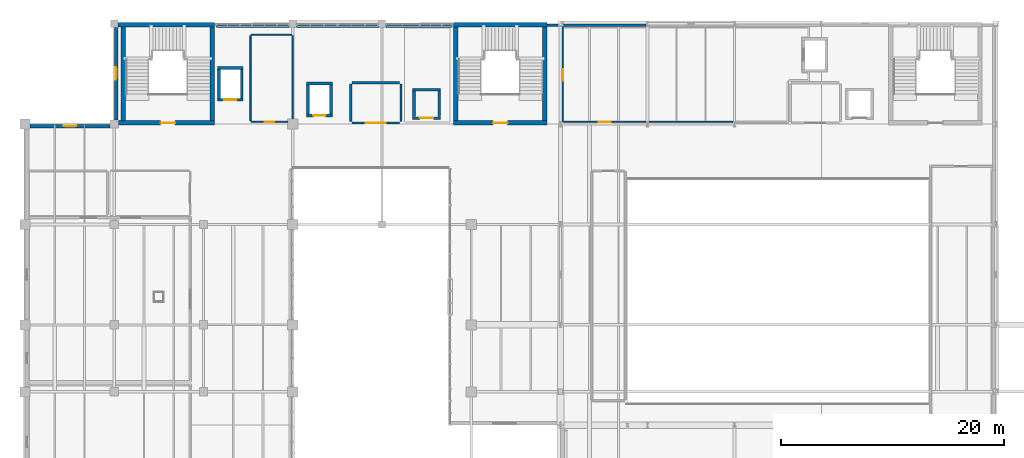
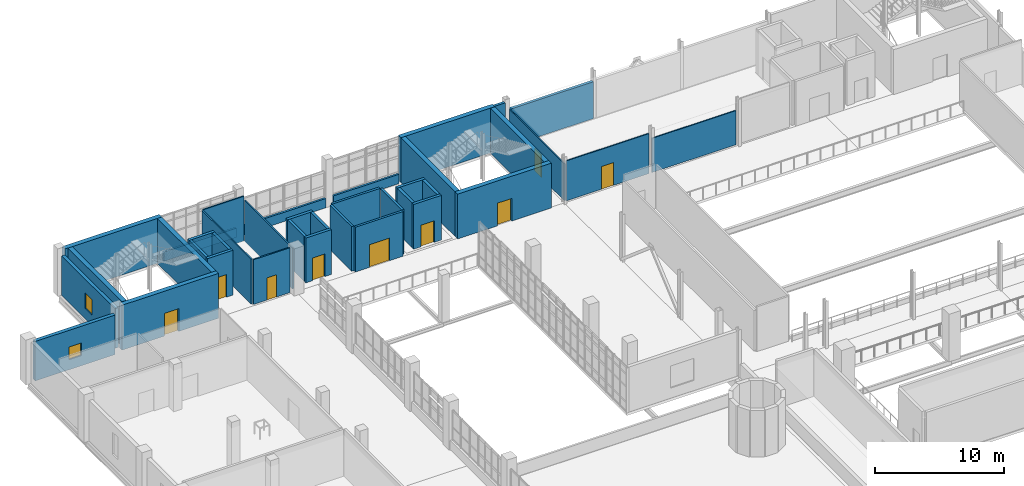
# One storey, part 78 of 85: 38 walls, 9 doors, 2 windows, 11 openings.
"""IFC4 building model written with IfcOpenShell, lengths in metres."""

import ifcopenshell
import ifcopenshell.guid

model = None  # the IFC model being written
_history = None  # IfcOwnerHistory: only IFC2X3 demands one
_inside = {}  # id of a spatial element -> (the spatial element, [elements in it])
_under = {}  # id of a project, library or spatial element -> (it, [spatial elements below it])
_declared = {}  # id of a project -> (the project, [libraries it declares])
_typed = {}  # id of a type object -> (the type object, [elements of that type])
_made_of = {}  # id of a material, layer set ... -> (it, [elements and type objects made of it])


def new_model(schema):
    """Start an empty IFC model of exactly this schema.

    Asked for "IFC4X3", IfcOpenShell would pick the latest addendum, in which some entities
    have other attributes; the version numbers below select the first issue.
    IFC2X3 requires an IfcOwnerHistory on every rooted entity: one is made here for all.
    """
    global model, _history
    if schema == "IFC4X3":
        model = ifcopenshell.file(schema_version=(4, 3, 0, 0))
    else:
        model = ifcopenshell.file(schema=schema)
    _inside.clear()
    _under.clear()
    _declared.clear()
    _typed.clear()
    _made_of.clear()
    _history = None
    if model.schema == "IFC2X3":
        org = make("IfcOrganization", Name="unknown")
        user = make(
            "IfcPersonAndOrganization",
            ThePerson=make("IfcPerson", FamilyName="unknown"),
            TheOrganization=org,
        )
        app = make(
            "IfcApplication",
            ApplicationDeveloper=org,
            Version="unknown",
            ApplicationFullName="unknown",
            ApplicationIdentifier="unknown",
        )
        _history = make(
            "IfcOwnerHistory",
            OwningUser=user,
            OwningApplication=app,
            ChangeAction="ADDED",
            CreationDate=0,
        )
    return model


def make(cls, **values):
    """One entity of the class cls with the attributes given. An attribute that is None is left unset."""
    return model.create_entity(
        cls, **{name: value for name, value in values.items() if value is not None}
    )


def rooted(cls, **values):
    """An entity with a GlobalId (a new one), such as an element, a storey or a relation."""
    return make(cls, GlobalId=ifcopenshell.guid.new(), OwnerHistory=_history, **values)


def si_unit(unit_type, name, prefix=None):
    """IfcSIUnit, for example si_unit("LENGTHUNIT", "METRE", prefix="MILLI")."""
    return make("IfcSIUnit", UnitType=unit_type, Prefix=prefix, Name=name)


def derived_unit(unit_type, elements):
    """IfcDerivedUnit: a product of units, each with its exponent."""
    return make(
        "IfcDerivedUnit",
        Elements=[
            make("IfcDerivedUnitElement", Unit=unit, Exponent=power)
            for unit, power in elements
        ],
        UnitType=unit_type,
    )


def assignment(units):
    """IfcUnitAssignment: the units of a project."""
    return None if units is None else make("IfcUnitAssignment", Units=units)


def point(xyz):
    """IfcCartesianPoint."""
    return None if xyz is None else make("IfcCartesianPoint", Coordinates=xyz)


def direction(xyz):
    """IfcDirection."""
    return None if xyz is None else make("IfcDirection", DirectionRatios=xyz)


def frame(location, z_axis=None, x_axis=None):
    """IfcAxis2Placement3D, a coordinate frame: its origin and axes. An axis left out is left unset."""
    return make(
        "IfcAxis2Placement3D",
        Location=point(location),
        Axis=direction(z_axis),
        RefDirection=direction(x_axis),
    )


def frame_2d(location, x_axis=None):
    """IfcAxis2Placement2D, a coordinate frame in the plane: its origin and x axis."""
    return make(
        "IfcAxis2Placement2D", Location=point(location), RefDirection=direction(x_axis)
    )


def origin():
    """The frame at (0, 0, 0) with its axes left unset."""
    return frame((0.0, 0.0, 0.0))


def place(relative_to, where):
    """IfcLocalPlacement: puts the frame where relative to a parent placement (None: the world)."""
    return make(
        "IfcLocalPlacement", PlacementRelTo=relative_to, RelativePlacement=where
    )


def context(
    kind, dimensions, precision=None, world=None, true_north=None, identifier=None
):
    """IfcGeometricRepresentationContext, for example the 3D "Model" context."""
    return make(
        "IfcGeometricRepresentationContext",
        ContextIdentifier=identifier,
        ContextType=kind,
        CoordinateSpaceDimension=dimensions,
        Precision=precision,
        WorldCoordinateSystem=world,
        TrueNorth=true_north,
    )


def subcontext(parent, identifier, kind, view, scale=None):
    """IfcGeometricRepresentationSubContext, for example "Body" below "Model"."""
    return make(
        "IfcGeometricRepresentationSubContext",
        ContextIdentifier=identifier,
        ContextType=kind,
        ParentContext=parent,
        TargetScale=scale,
        TargetView=view,
    )


def project(units=None, contexts=None):
    """IfcProject with its units and contexts."""
    return rooted(
        "IfcProject",
        Name="project",
        RepresentationContexts=contexts,
        UnitsInContext=assignment(units),
    )


def spatial(cls, under=None, at=None, **own):
    """A site, building, storey or space (cls), placed at a placement, below another one or the project."""
    s = rooted(cls, ObjectPlacement=at, **own)
    if under is not None:
        _under.setdefault(under.id(), (under, []))[1].append(s)
    return s


def profile(cls, at=None, kind="AREA", **sizes):
    """A parametric profile (cls). Its sizes go by their IFC names, for example OverallWidth=200.0."""
    return make(cls, ProfileType=kind, Position=at, **sizes)


def rectangle(**sizes):
    """IfcRectangleProfileDef."""
    return profile("IfcRectangleProfileDef", **sizes)


def extrude(swept, where, along, depth):
    """IfcExtrudedAreaSolid: the profile swept, set in the frame where, extruded along a direction by depth."""
    return make(
        "IfcExtrudedAreaSolid",
        SweptArea=swept,
        Position=where,
        ExtrudedDirection=direction(along),
        Depth=depth,
    )


def shape(context_of_items, identifier, shape_type, items):
    """IfcShapeRepresentation: the items that make up one representation, for example the "Body"."""
    return make(
        "IfcShapeRepresentation",
        ContextOfItems=context_of_items,
        RepresentationIdentifier=identifier,
        RepresentationType=shape_type,
        Items=items,
    )


def material(Name=None, Category=None):
    """IfcMaterial."""
    return make("IfcMaterial", Name=Name, Category=Category)


def layer(
    of_material, thickness, ventilated=None, Name=None, Category=None, Priority=None
):
    """IfcMaterialLayer: one layer of a wall or slab, of a material (None: an air gap)."""
    return make(
        "IfcMaterialLayer",
        Material=of_material,
        LayerThickness=thickness,
        IsVentilated=ventilated,
        Name=Name,
        Category=Category,
        Priority=Priority,
    )


def layer_set(layers, Name=None):
    """IfcMaterialLayerSet."""
    return make("IfcMaterialLayerSet", MaterialLayers=layers, LayerSetName=Name)


def made_of(thing, what):
    """Note that an element or type object is made of a material, layer set ...; save() writes the relation."""
    if what is not None:
        _made_of.setdefault(what.id(), (what, []))[1].append(thing)
    return thing


def type_object(cls, material=None, **own):
    """A type object (cls), such as IfcWallType, which elements share."""
    return made_of(rooted(cls, **own), material)


def element(
    cls,
    number,
    at=None,
    inside=None,
    cuts=None,
    type_object=None,
    material=None,
    context=None,
    identifier="Body",
    shape_type=None,
    held_by="IfcProductDefinitionShape",
    body=None,
    shapes=None,
    **own,
):
    """One element of the class cls, such as IfcWall. Its Tag is "e" and its number.

    at: its placement. inside: the storey or other place that contains it. cuts: it is an
    opening in that element (IfcRelVoidsElement). A single representation is given by context,
    identifier, shape_type and body (its items); several are given by shapes. held_by: the class
    of the entity that holds the representations. save() writes the other relations.
    """
    e = rooted(cls, Tag="e%d" % number, ObjectPlacement=at, **own)
    if body is not None:
        shapes = [shape(context, identifier, shape_type, body)]
    if shapes is not None:
        e.Representation = make(held_by, Representations=shapes)
    if inside is not None:
        _inside.setdefault(inside.id(), (inside, []))[1].append(e)
    if cuts is not None:
        rooted(
            "IfcRelVoidsElement", RelatingBuildingElement=cuts, RelatedOpeningElement=e
        )
    if type_object is not None:
        _typed.setdefault(type_object.id(), (type_object, []))[1].append(e)
    return made_of(e, material)


def fill(opening, filler):
    """IfcRelFillsElement: the door or window that sits in an opening."""
    return rooted(
        "IfcRelFillsElement",
        RelatingOpeningElement=opening,
        RelatedBuildingElement=filler,
    )


def aggregate(whole, parts):
    """IfcRelAggregates: a whole, such as a stair, and the parts it consists of."""
    return rooted("IfcRelAggregates", RelatingObject=whole, RelatedObjects=parts)


def save(model, path):
    """Write the relations noted so far, then the file.

    IfcRelAggregates (storeys below a building ...), IfcRelContainedInSpatialStructure (elements
    in a storey), IfcRelDefinesByType, IfcRelAssociatesMaterial and IfcRelDeclares: one each for
    every whole, place, type object, material and project.
    """
    for whole, parts in _under.values():
        aggregate(whole, parts)
    for where, things in _inside.values():
        rooted(
            "IfcRelContainedInSpatialStructure",
            RelatedElements=things,
            RelatingStructure=where,
        )
    for kind, things in _typed.values():
        rooted("IfcRelDefinesByType", RelatedObjects=things, RelatingType=kind)
    for what, things in _made_of.values():
        rooted("IfcRelAssociatesMaterial", RelatedObjects=things, RelatingMaterial=what)
    for by, libraries in _declared.values():
        rooted("IfcRelDeclares", RelatingContext=by, RelatedDefinitions=libraries)
    model.write(path)


model = new_model("IFC4")

# Units and contexts
model_context = context("Model", 3, precision=1e-05, world=origin(), true_north=direction((0.0, 1.0)))
body_context = subcontext(model_context, "Body", "Model", "MODEL_VIEW")
ifc_project = project(units=[si_unit("LENGTHUNIT", "METRE"), si_unit("AREAUNIT", "SQUARE_METRE"), si_unit("VOLUMEUNIT", "CUBIC_METRE"), si_unit("PLANEANGLEUNIT", "RADIAN"), si_unit("MASSUNIT", "GRAM", prefix="KILO"), derived_unit("THERMALTRANSMITTANCEUNIT", [(si_unit("POWERUNIT", "WATT"), 1), (si_unit("LENGTHUNIT", "METRE"), -2), (si_unit("THERMODYNAMICTEMPERATUREUNIT", "KELVIN"), -1)])], contexts=[model_context])

# Site, building, storey
site_placement = place(None, origin())
site = spatial("IfcSite", under=ifc_project, at=site_placement, CompositionType="ELEMENT")
building_placement = place(site_placement, origin())
building = spatial("IfcBuilding", under=site, at=building_placement, Name="Nallur Shell Playhouse", CompositionType="ELEMENT")
storey_placement = place(building_placement, frame((0.0, 0.0, 19.800048828125)))
storey = spatial("IfcBuildingStorey", under=building, at=storey_placement, Name="L05", CompositionType="ELEMENT", Elevation=19.800048828125)

# Wall, opening, door
ifc_material_1 = material(Name="Concrete M45", Category="concrete")
ifc_layer_1 = layer(ifc_material_1, 0.39990234375)
ifc_layer_set_1 = layer_set([ifc_layer_1], Name="Concrete M45")
wall_type_1 = type_object("IfcWallType", Name="WL-CORE-400", PredefinedType="SHEAR", material=ifc_layer_set_1)
wall_1_placement = place(storey_placement, frame((54.39990234375, 74.10009765625, 0.0), z_axis=(0.0, 0.0, 1.0), x_axis=(1.0, 0.0, 0.0)))
wall_1 = element("IfcWall", 1, at=wall_1_placement, inside=storey, type_object=wall_type_1, Name="Joint Core JC-3 shear wall S (L05)", PredefinedType="SHEAR", context=body_context, shape_type="SweptSolid", body=[
    extrude(rectangle(XDim=8.400146484375, YDim=0.39990234375, at=frame_2d((4.2001953125, 0.0))), origin(), (0.0, 0.0, 1.0), 4.25),
])
opening_1_placement = place(wall_1_placement, frame((3.550048828125, 0.0, 0.0)))
opening_1 = element("IfcOpeningElement", 2, at=opening_1_placement, cuts=wall_1, Name="Opening FD-ST2", PredefinedType="OPENING", context=body_context, shape_type="SweptSolid", body=[
    extrude(rectangle(XDim=1.300048828125, YDim=2.14990234375, at=frame_2d((0.64990234375, 1.074951171875))), frame((0.0, 0.2099609375, 0.0), z_axis=(0.0, -1.0, 0.0), x_axis=(1.0, 0.0, 0.0)), (0.0, 0.0, 1.0), 0.419921875),
])
ifc_material_2 = material(Name="Galvanised Steel Fire-Rated Stair Door", Category="steel")
door_type_1 = type_object("IfcDoorType", Name="DR-INT-STAIR-R", OperationType="SINGLE_SWING_RIGHT", PredefinedType="DOOR", material=ifc_material_2)
door_1_placement = place(opening_1_placement, origin())
door_1 = element("IfcDoor", 3, at=door_1_placement, inside=storey, type_object=door_type_1, Name="Exit stair ST-03 fire door (L05)", OperationType="SINGLE_SWING_RIGHT", OverallHeight=2.14990234375, OverallWidth=1.300048828125, PredefinedType="DOOR", context=body_context, shape_type="SweptSolid", body=[
    extrude(rectangle(XDim=1.300048828125, YDim=2.14990234375, at=frame_2d((0.64990234375, 1.074951171875))), frame((0.0, 0.02490234375, 0.0), z_axis=(0.0, -1.0, 0.0), x_axis=(1.0, 0.0, 0.0)), (0.0, 0.0, 1.0), 0.050048828125),
])
fill(opening_1, door_1)

# Walls
wall_2_placement = place(storey_placement, frame((62.800048828125, 82.89990234375, 0.0), z_axis=(0.0, 0.0, 1.0), x_axis=(-1.0, 0.0, 0.0)))
element("IfcWall", 4, at=wall_2_placement, inside=storey, type_object=wall_type_1, Name="Joint Core JC-3 shear wall N (L05)", PredefinedType="SHEAR", context=body_context, shape_type="SweptSolid", body=[
    extrude(rectangle(XDim=8.400146484375, YDim=0.39990234375, at=frame_2d((4.2001953125, 0.0))), origin(), (0.0, 0.0, 1.0), 4.25),
])
for number, where, z_axis, x_axis, name in (
    (5, (62.60009765625, 74.31005859375, 0.0), (0.0, 0.0, 1.0), (0.0, 1.0, 0.0), "Joint Core JC-3 shear wall E (L05)"),
    (6, (54.60009765625, 82.68994140625, 0.0), (0.0, 0.0, 1.0), (0.0, -1.0, 0.0), "Joint Core JC-3 shear wall W (L05)"),
):
    element("IfcWall", number, at=place(storey_placement, frame(where, z_axis=z_axis, x_axis=x_axis)), inside=storey, type_object=wall_type_1, Name=name, PredefinedType="SHEAR", context=body_context, shape_type="SweptSolid", body=[
        extrude(rectangle(XDim=8.3798828125, YDim=0.39990234375, at=frame_2d((4.18994140625, 0.0))), origin(), (0.0, 0.0, 1.0), 4.25),
    ])

# Wall, opening, door
wall_3_placement = place(storey_placement, frame((24.3740234375, 74.10009765625, 0.0), z_axis=(0.0, 0.0, 1.0), x_axis=(1.0, 0.0, 0.0)))
wall_3 = element("IfcWall", 7, at=wall_3_placement, inside=storey, type_object=wall_type_1, Name="Joint Core JC-6 shear wall S (L05)", PredefinedType="SHEAR", context=body_context, shape_type="SweptSolid", body=[
    extrude(rectangle(XDim=8.6259765625, YDim=0.39990234375, at=frame_2d((4.31298828125, 0.0))), origin(), (0.0, 0.0, 1.0), 4.25),
])
opening_2_placement = place(wall_3_placement, frame((3.77587890625, 0.0, 0.0)))
opening_2 = element("IfcOpeningElement", 8, at=opening_2_placement, cuts=wall_3, Name="Opening FD-ST1", PredefinedType="OPENING", context=body_context, shape_type="SweptSolid", body=[
    extrude(rectangle(XDim=1.300048828125, YDim=2.14990234375, at=frame_2d((0.64990234375, 1.074951171875))), frame((0.0, 0.2099609375, 0.0), z_axis=(0.0, -1.0, 0.0), x_axis=(1.0, 0.0, 0.0)), (0.0, 0.0, 1.0), 0.419921875),
])
door_type_2 = type_object("IfcDoorType", Name="DR-INT-STAIR-L", OperationType="SINGLE_SWING_LEFT", PredefinedType="DOOR", material=ifc_material_2)
door_2_placement = place(opening_2_placement, origin())
door_2 = element("IfcDoor", 9, at=door_2_placement, inside=storey, type_object=door_type_2, Name="Exit stair ST-06 fire door (L05)", OperationType="SINGLE_SWING_LEFT", OverallHeight=2.14990234375, OverallWidth=1.300048828125, PredefinedType="DOOR", context=body_context, shape_type="SweptSolid", body=[
    extrude(rectangle(XDim=1.300048828125, YDim=2.14990234375, at=frame_2d((0.64990234375, 1.074951171875))), frame((0.0, 0.02490234375, 0.0), z_axis=(0.0, -1.0, 0.0), x_axis=(1.0, 0.0, 0.0)), (0.0, 0.0, 1.0), 0.050048828125),
])
fill(opening_2, door_2)

# Walls
wall_4_placement = place(storey_placement, frame((33.0, 82.89990234375, 0.0), z_axis=(0.0, 0.0, 1.0), x_axis=(-1.0, 0.0, 0.0)))
element("IfcWall", 10, at=wall_4_placement, inside=storey, type_object=wall_type_1, Name="Joint Core JC-6 shear wall N (L05)", PredefinedType="SHEAR", context=body_context, shape_type="SweptSolid", body=[
    extrude(rectangle(XDim=8.676025390625, YDim=0.39990234375, at=frame_2d((4.337890625, 0.0))), origin(), (0.0, 0.0, 1.0), 4.25),
])
for number, where, z_axis, x_axis, name in (
    (11, (32.800048828125, 74.31005859375, 0.0), (0.0, 0.0, 1.0), (0.0, 1.0, 0.0), "Joint Core JC-6 shear wall E (L05)"),
    (12, (24.800048828125, 82.68994140625, 0.0), (0.0, 0.0, 1.0), (0.0, -1.0, 0.0), "Joint Core JC-6 shear wall W (L05)"),
):
    element("IfcWall", number, at=place(storey_placement, frame(where, z_axis=z_axis, x_axis=x_axis)), inside=storey, type_object=wall_type_1, Name=name, PredefinedType="SHEAR", context=body_context, shape_type="SweptSolid", body=[
        extrude(rectangle(XDim=8.3798828125, YDim=0.39990234375, at=frame_2d((4.18994140625, 0.0))), origin(), (0.0, 0.0, 1.0), 4.25),
    ])
ifc_material_3 = material(Name="Precast concrete M40", Category="concrete")
ifc_layer_2 = layer(ifc_material_3, 0.239990234375)
ifc_layer_set_2 = layer_set([ifc_layer_2], Name="Precast concrete M40")
wall_type_2 = type_object("IfcWallType", Name="WL-EXT-CLAD240", PredefinedType="ELEMENTEDWALL", material=ifc_layer_set_2)
wall_5_placement = place(storey_placement, frame((62.803955078125, 82.860107421875, 0.0), z_axis=(0.0, 0.0, 1.0), x_axis=(1.0, 0.0, 0.0)))
element("IfcWall", 13, at=wall_5_placement, inside=storey, type_object=wall_type_2, Name="L05 exterior wall EW-L05-205", PredefinedType="ELEMENTEDWALL", context=body_context, shape_type="SweptSolid", body=[
    extrude(rectangle(XDim=0.963134765625, YDim=0.239990234375, at=frame_2d((0.4814453125, 0.0))), origin(), (0.0, 0.0, 1.0), 4.25),
])
wall_6_placement = place(storey_placement, frame((64.23291015625, 82.860107421875, 0.0), z_axis=(0.0, 0.0, 1.0), x_axis=(1.0, 0.0, 0.0)))
element("IfcWall", 14, at=wall_6_placement, inside=storey, type_object=wall_type_2, Name="L05 exterior wall EW-L05-206", PredefinedType="ELEMENTEDWALL", context=body_context, shape_type="SweptSolid", body=[
    extrude(rectangle(XDim=7.43408203125, YDim=0.239990234375, at=frame_2d((3.717041015625, 0.0))), origin(), (0.0, 0.0, 1.0), 3.48486328125),
])

# Wall, opening, window
ifc_material_4 = material(Name="Concrete M35", Category="concrete")
ifc_layer_3 = layer(ifc_material_4, 0.300048828125)
ifc_layer_set_3 = layer_set([ifc_layer_3], Name="Concrete M35")
wall_type_3 = type_object("IfcWallType", Name="WL-EXT-RC300", PredefinedType="STANDARD", material=ifc_layer_set_3)
wall_7_placement = place(storey_placement, frame((24.169921875, 74.383056640625, 0.0), z_axis=(0.0, 0.0, 1.0), x_axis=(0.0, 1.0, 0.0)))
wall_7 = element("IfcWall", 15, at=wall_7_placement, inside=storey, type_object=wall_type_3, Name="L05 exterior wall EW-L05-238", PredefinedType="STANDARD", context=body_context, shape_type="SweptSolid", body=[
    extrude(rectangle(XDim=8.283935546875, YDim=0.300048828125, at=frame_2d((4.14208984375, 0.0))), origin(), (0.0, 0.0, 1.0), 3.73486328125),
])
opening_3_placement = place(wall_7_placement, frame((3.592041015625, 0.0, 0.949951171875)))
opening_3 = element("IfcOpeningElement", 16, at=opening_3_placement, cuts=wall_7, Name="Opening WN-06", PredefinedType="OPENING", context=body_context, shape_type="SweptSolid", body=[
    extrude(rectangle(XDim=1.10009765625, YDim=1.5, at=frame_2d((0.550048828125, 0.75))), frame((0.0, 0.16015625, 0.0), z_axis=(0.0, -1.0, 0.0), x_axis=(1.0, 0.0, 0.0)), (0.0, 0.0, 1.0), 0.320068359375),
])
ifc_material_5 = material(Name="Thermally Broken Aluminium Acoustic Double-Glazed Window", Category="aluminium")
window_type_1 = type_object("IfcWindowType", Name="WN-TYPE-06", PartitioningType="SINGLE_PANEL", PredefinedType="WINDOW", material=ifc_material_5)
window_1_placement = place(opening_3_placement, origin())
window_1 = element("IfcWindow", 17, at=window_1_placement, inside=storey, type_object=window_type_1, Name="L05 facade module window 102", OverallHeight=1.5, OverallWidth=1.10009765625, PartitioningType="SINGLE_PANEL", PredefinedType="WINDOW", context=body_context, shape_type="SweptSolid", body=[
    extrude(rectangle(XDim=1.10009765625, YDim=1.5, at=frame_2d((0.550048828125, 0.75))), frame((0.0, 0.030029296875, 0.0), z_axis=(0.0, -1.0, 0.0), x_axis=(1.0, 0.0, 0.0)), (0.0, 0.0, 1.0), 0.06005859375),
])
fill(opening_3, window_1)

ifc_layer_4 = layer(ifc_material_4, 0.320068359375)
ifc_layer_set_4 = layer_set([ifc_layer_4], Name="Concrete M35")
wall_type_4 = type_object("IfcWallType", Name="WL-EXT-RC320", PredefinedType="STANDARD", material=ifc_layer_set_4)
wall_8_placement = place(storey_placement, frame((16.4580078125, 73.820068359375, 0.0), z_axis=(0.0, 0.0, 1.0), x_axis=(1.0, 0.0, 0.0)))
wall_8 = element("IfcWall", 18, at=wall_8_placement, inside=storey, type_object=wall_type_4, Name="L05 exterior wall EW-L05-237", PredefinedType="STANDARD", context=body_context, shape_type="SweptSolid", body=[
    extrude(rectangle(XDim=7.158935546875, YDim=0.320068359375, at=frame_2d((3.57958984375, 0.0))), origin(), (0.0, 0.0, 1.0), 3.73486328125),
])
opening_4_placement = place(wall_8_placement, frame((3.030029296875, 0.0, 0.949951171875)))
opening_4 = element("IfcOpeningElement", 19, at=opening_4_placement, cuts=wall_8, Name="Opening WN-05", PredefinedType="OPENING", context=body_context, shape_type="SweptSolid", body=[
    extrude(rectangle(XDim=1.10009765625, YDim=1.199951171875, at=frame_2d((0.550048828125, 0.60009765625))), frame((0.0, 0.169921875, 0.0), z_axis=(0.0, -1.0, 0.0), x_axis=(1.0, 0.0, 0.0)), (0.0, 0.0, 1.0), 0.340087890625),
])
window_type_2 = type_object("IfcWindowType", Name="WN-TYPE-05", PartitioningType="SINGLE_PANEL", PredefinedType="WINDOW", material=ifc_material_5)
window_2_placement = place(opening_4_placement, origin())
window_2 = element("IfcWindow", 20, at=window_2_placement, inside=storey, type_object=window_type_2, Name="L05 facade module window 101", OverallHeight=1.199951171875, OverallWidth=1.10009765625, PartitioningType="SINGLE_PANEL", PredefinedType="WINDOW", context=body_context, shape_type="SweptSolid", body=[
    extrude(rectangle(XDim=1.10009765625, YDim=1.199951171875, at=frame_2d((0.550048828125, 0.60009765625))), frame((0.0, 0.030029296875, 0.0), z_axis=(0.0, -1.0, 0.0), x_axis=(1.0, 0.0, 0.0)), (0.0, 0.0, 1.0), 0.06005859375),
])
fill(opening_4, window_2)

# Walls
ifc_layer_5 = layer(ifc_material_4, 0.179931640625)
ifc_layer_set_5 = layer_set([ifc_layer_5], Name="Concrete M35")
wall_type_5 = type_object("IfcWallType", Name="WL-PARAPET-180", PredefinedType="PARAPET", material=ifc_layer_set_5)
wall_9_placement = place(storey_placement, frame((33.169921875, 82.760009765625, 0.0), z_axis=(0.0, 0.0, 1.0), x_axis=(1.0, 0.0, 0.0)))
element("IfcWall", 21, at=wall_9_placement, inside=storey, type_object=wall_type_5, Name="L05 curtain-wall internal spandrel upstand 063", PredefinedType="PARAPET", context=body_context, shape_type="SweptSolid", body=[
    extrude(rectangle(XDim=6.4951171875, YDim=0.179931640625, at=frame_2d((3.24755859375, 0.0))), origin(), (0.0, 0.0, 1.0), 0.8798828125),
])
wall_10_placement = place(storey_placement, frame((40.3349609375, 82.760009765625, 0.0), z_axis=(0.0, 0.0, 1.0), x_axis=(1.0, 0.0, 0.0)))
element("IfcWall", 22, at=wall_10_placement, inside=storey, type_object=wall_type_5, Name="L05 curtain-wall internal spandrel upstand 064", PredefinedType="PARAPET", context=body_context, shape_type="SweptSolid", body=[
    extrude(rectangle(XDim=7.330078125, YDim=0.179931640625, at=frame_2d((3.6650390625, 0.0))), origin(), (0.0, 0.0, 1.0), 0.8798828125),
])
wall_11_placement = place(storey_placement, frame((48.3349609375, 82.760009765625, 0.0), z_axis=(0.0, 0.0, 1.0), x_axis=(1.0, 0.0, 0.0)))
element("IfcWall", 23, at=wall_11_placement, inside=storey, type_object=wall_type_5, Name="L05 curtain-wall internal spandrel upstand 065", PredefinedType="PARAPET", context=body_context, shape_type="SweptSolid", body=[
    extrude(rectangle(XDim=5.89501953125, YDim=0.179931640625, at=frame_2d((2.947509765625, 0.0))), origin(), (0.0, 0.0, 1.0), 0.8798828125),
])
ifc_material_6 = material(Name="Concrete M30", Category="concrete")
ifc_layer_6 = layer(ifc_material_6, 0.199951171875)
ifc_layer_set_6 = layer_set([ifc_layer_6], Name="Concrete M30")
wall_type_6 = type_object("IfcWallType", Name="WL-PART-AC200", PredefinedType="PARTITIONING", material=ifc_layer_set_6)
wall_12_placement = place(storey_placement, frame((45.199951171875, 74.219970703125, 0.0), z_axis=(0.0, 0.0, 1.0), x_axis=(0.0, 1.0, 0.0)))
element("IfcWall", 24, at=wall_12_placement, inside=storey, type_object=wall_type_6, Name="Firefighting Lobby JC-3 partition IW-L05-0340", PredefinedType="PARTITIONING", context=body_context, shape_type="SweptSolid", body=[
    extrude(rectangle(XDim=3.360107421875, YDim=0.199951171875, at=frame_2d((1.68017578125, 0.0))), origin(), (0.0, 0.0, 1.0), 4.239990234375),
])
wall_13_placement = place(storey_placement, frame((45.320068359375, 77.699951171875, 0.0), z_axis=(0.0, 0.0, 1.0), x_axis=(1.0, 0.0, 0.0)))
element("IfcWall", 25, at=wall_13_placement, inside=storey, type_object=wall_type_6, Name="Firefighting Lobby JC-3 partition IW-L05-0341", PredefinedType="PARTITIONING", context=body_context, shape_type="SweptSolid", body=[
    extrude(rectangle(XDim=4.260009765625, YDim=0.199951171875, at=frame_2d((2.1298828125, 0.0))), origin(), (0.0, 0.0, 1.0), 4.239990234375),
])
wall_14_placement = place(storey_placement, frame((49.699951171875, 77.580078125, 0.0), z_axis=(0.0, 0.0, 1.0), x_axis=(0.0, -1.0, 0.0)))
element("IfcWall", 26, at=wall_14_placement, inside=storey, type_object=wall_type_6, Name="Firefighting Lobby JC-3 partition IW-L05-0342", PredefinedType="PARTITIONING", context=body_context, shape_type="SweptSolid", body=[
    extrude(rectangle(XDim=3.360107421875, YDim=0.199951171875, at=frame_2d((1.68017578125, 0.0))), origin(), (0.0, 0.0, 1.0), 4.239990234375),
])

# Wall, opening, door
wall_15_placement = place(storey_placement, frame((49.580078125, 74.10009765625, 0.0), z_axis=(0.0, 0.0, 1.0), x_axis=(-1.0, 0.0, 0.0)))
wall_15 = element("IfcWall", 27, at=wall_15_placement, inside=storey, type_object=wall_type_6, Name="Firefighting Lobby JC-3 partition IW-L05-0343", PredefinedType="PARTITIONING", context=body_context, shape_type="SweptSolid", body=[
    extrude(rectangle(XDim=4.260009765625, YDim=0.199951171875, at=frame_2d((2.1298828125, 0.0))), origin(), (0.0, 0.0, 1.0), 4.239990234375),
])
opening_5_placement = place(wall_15_placement, frame((1.22998046875, 0.0, 0.0)))
opening_5 = element("IfcOpeningElement", 28, at=opening_5_placement, cuts=wall_15, Name="Opening FD-FL1", PredefinedType="OPENING", context=body_context, shape_type="SweptSolid", body=[
    extrude(rectangle(XDim=1.800048828125, YDim=2.14990234375, at=frame_2d((0.89990234375, 1.074951171875))), frame((0.0, 0.10986328125, 0.0), z_axis=(0.0, -1.0, 0.0), x_axis=(1.0, 0.0, 0.0)), (0.0, 0.0, 1.0), 0.219970703125),
])
ifc_material_7 = material(Name="Firefighting Lobby Smoke-Seal Double Door")
door_type_3 = type_object("IfcDoorType", Name="DR-INT-FFL-DBL", OperationType="DOUBLE_DOOR_SINGLE_SWING", PredefinedType="DOOR", material=ifc_material_7)
door_3_placement = place(opening_5_placement, origin())
door_3 = element("IfcDoor", 29, at=door_3_placement, inside=storey, type_object=door_type_3, Name="Firefighting Lobby JC-3 smoke-seal door (L05)", OperationType="DOUBLE_DOOR_SINGLE_SWING", OverallHeight=2.14990234375, OverallWidth=1.800048828125, PredefinedType="DOOR", context=body_context, shape_type="SweptSolid", body=[
    extrude(rectangle(XDim=1.800048828125, YDim=2.14990234375, at=frame_2d((0.89990234375, 1.074951171875))), frame((0.0, 0.02490234375, 0.0), z_axis=(0.0, -1.0, 0.0), x_axis=(1.0, 0.0, 0.0)), (0.0, 0.0, 1.0), 0.050048828125),
])
fill(opening_5, door_3)

ifc_material_8 = material(Name="Double-Layer Fire-Rated Gypsum Stud Partition")
ifc_layer_7 = layer(ifc_material_8, 0.10009765625)
ifc_layer_set_7 = layer_set([ifc_layer_7], Name="Double-Layer Fire-Rated Gypsum Stud Partition")
wall_type_7 = type_object("IfcWallType", Name="WL-PART-DRY100", PredefinedType="PARTITIONING", material=ifc_layer_set_7)
wall_16_placement = place(storey_placement, frame((64.199951171875, 74.27001953125, 0.0), z_axis=(0.0, 0.0, 1.0), x_axis=(0.0, 1.0, 0.0)))
wall_16 = element("IfcWall", 30, at=wall_16_placement, inside=storey, type_object=wall_type_7, Name="Climate-Controlled Costume Archive partition IW-L05-0366", PredefinedType="PARTITIONING", context=body_context, shape_type="SweptSolid", body=[
    extrude(rectangle(XDim=8.5009765625, YDim=0.10009765625, at=frame_2d((4.25048828125, 0.0))), origin(), (0.0, 0.0, 1.0), 3.47998046875),
])
opening_6_placement = place(wall_16_placement, frame((3.60498046875, 0.0, 0.0)))
opening_6 = element("IfcOpeningElement", 31, at=opening_6_placement, cuts=wall_16, Name="Opening ID-02", PredefinedType="OPENING", context=body_context, shape_type="SweptSolid", body=[
    extrude(rectangle(XDim=1.050048828125, YDim=2.14990234375, at=frame_2d((0.52490234375, 1.074951171875))), frame((0.0, 0.06005859375, 0.0), z_axis=(0.0, -1.0, 0.0), x_axis=(1.0, 0.0, 0.0)), (0.0, 0.0, 1.0), 0.1201171875),
])
ifc_material_9 = material(Name="Solid-Core Engineered Timber Fire Door", Category="wood")
door_type_4 = type_object("IfcDoorType", Name="DR-INT-SGL1050R", OperationType="SINGLE_SWING_RIGHT", PredefinedType="DOOR", material=ifc_material_9)
door_4_placement = place(opening_6_placement, origin())
door_4 = element("IfcDoor", 32, at=door_4_placement, inside=storey, type_object=door_type_4, Name="Historic Poster, Costume & Set Model Gallery door 1", OperationType="SINGLE_SWING_RIGHT", OverallHeight=2.14990234375, OverallWidth=1.050048828125, PredefinedType="DOOR", context=body_context, shape_type="SweptSolid", body=[
    extrude(rectangle(XDim=1.050048828125, YDim=2.14990234375, at=frame_2d((0.52490234375, 1.074951171875))), frame((0.0, 0.02490234375, 0.0), z_axis=(0.0, -1.0, 0.0), x_axis=(1.0, 0.0, 0.0)), (0.0, 0.0, 1.0), 0.050048828125),
])
fill(opening_6, door_4)

# Wall
wall_17_placement = place(storey_placement, frame((79.4599609375, 74.199951171875, 0.0), z_axis=(0.0, 0.0, 1.0), x_axis=(-1.0, 0.0, 0.0)))
element("IfcWall", 33, at=wall_17_placement, inside=storey, type_object=wall_type_7, Name="Climate-Controlled Costume Archive partition IW-L05-0368", PredefinedType="PARTITIONING", context=body_context, shape_type="SweptSolid", body=[
    extrude(rectangle(XDim=7.52001953125, YDim=0.10009765625, at=frame_2d((3.760009765625, 0.0))), origin(), (0.0, 0.0, 1.0), 3.22998046875),
])

# Wall, opening, door
wall_18_placement = place(storey_placement, frame((71.659912109375, 74.199951171875, 0.0), z_axis=(0.0, 0.0, 1.0), x_axis=(-1.0, 0.0, 0.0)))
wall_18 = element("IfcWall", 34, at=wall_18_placement, inside=storey, type_object=wall_type_7, Name="Climate-Controlled Costume Archive partition IW-L05-0369", PredefinedType="PARTITIONING", context=body_context, shape_type="SweptSolid", body=[
    extrude(rectangle(XDim=7.389892578125, YDim=0.10009765625, at=frame_2d((3.69482421875, 0.0))), origin(), (0.0, 0.0, 1.0), 3.780029296875),
])
opening_7_placement = place(wall_18_placement, frame((3.169921875, 0.0, 0.0)))
opening_7 = element("IfcOpeningElement", 35, at=opening_7_placement, cuts=wall_18, Name="Opening ID-01", PredefinedType="OPENING", context=body_context, shape_type="SweptSolid", body=[
    extrude(rectangle(XDim=1.050048828125, YDim=2.14990234375, at=frame_2d((0.52490234375, 1.074951171875))), frame((0.0, 0.06005859375, 0.0), z_axis=(0.0, -1.0, 0.0), x_axis=(1.0, 0.0, 0.0)), (0.0, 0.0, 1.0), 0.1201171875),
])
door_type_5 = type_object("IfcDoorType", Name="DR-INT-SGL1050L", OperationType="SINGLE_SWING_LEFT", PredefinedType="DOOR", material=ifc_material_9)
door_5_placement = place(opening_7_placement, origin())
door_5 = element("IfcDoor", 36, at=door_5_placement, inside=storey, type_object=door_type_5, Name="Climate-Controlled Costume Archive door 1", OperationType="SINGLE_SWING_LEFT", OverallHeight=2.14990234375, OverallWidth=1.050048828125, PredefinedType="DOOR", context=body_context, shape_type="SweptSolid", body=[
    extrude(rectangle(XDim=1.050048828125, YDim=2.14990234375, at=frame_2d((0.52490234375, 1.074951171875))), frame((0.0, 0.02490234375, 0.0), z_axis=(0.0, -1.0, 0.0), x_axis=(1.0, 0.0, 0.0)), (0.0, 0.0, 1.0), 0.050048828125),
])
fill(opening_7, door_5)

# Wall
ifc_material_10 = material(Name="Concrete M25 Fire Blockwork", Category="masonry")
ifc_layer_8 = layer(ifc_material_10, 0.1201171875)
ifc_layer_set_8 = layer_set([ifc_layer_8], Name="Concrete M25 Fire Blockwork")
wall_type_8 = type_object("IfcWallType", Name="WL-PART-WET120", PredefinedType="PARTITIONING", material=ifc_layer_set_8)
wall_19_placement = place(storey_placement, frame((40.0, 81.919921875, 0.0), z_axis=(0.0, 0.0, 1.0), x_axis=(0.0, -1.0, 0.0)))
element("IfcWall", 37, at=wall_19_placement, inside=storey, type_object=wall_type_8, Name="Rehearsal Wing Restrooms partition IW-L05-0381", PredefinedType="PARTITIONING", context=body_context, shape_type="SweptSolid", body=[
    extrude(rectangle(XDim=7.454833984375, YDim=0.1201171875, at=frame_2d((3.7275390625, 0.0))), origin(), (0.0, 0.0, 1.0), 3.8798828125),
])

# Wall, opening, door
wall_20_placement = place(storey_placement, frame((39.534912109375, 74.199951171875, 0.0), z_axis=(0.0, 0.0, 1.0), x_axis=(-1.0, 0.0, 0.0)))
wall_20 = element("IfcWall", 38, at=wall_20_placement, inside=storey, type_object=wall_type_8, Name="Rehearsal Wing Restrooms partition IW-L05-0382", PredefinedType="PARTITIONING", context=body_context, shape_type="SweptSolid", body=[
    extrude(rectangle(XDim=3.2548828125, YDim=0.1201171875, at=frame_2d((1.62744140625, 0.0))), origin(), (0.0, 0.0, 1.0), 4.239990234375),
])
opening_8_placement = place(wall_20_placement, frame((1.18701171875, 0.0, 0.0)))
opening_8 = element("IfcOpeningElement", 39, at=opening_8_placement, cuts=wall_20, Name="Opening WD-01", PredefinedType="OPENING", context=body_context, shape_type="SweptSolid", body=[
    extrude(rectangle(XDim=0.8798828125, YDim=2.10009765625, at=frame_2d((0.43994140625, 1.050048828125))), frame((0.0, 0.070068359375, 0.0), z_axis=(0.0, -1.0, 0.0), x_axis=(1.0, 0.0, 0.0)), (0.0, 0.0, 1.0), 0.14013671875),
])
ifc_material_11 = material(Name="Moisture-Resistant Laminate Restroom Door")
door_type_6 = type_object("IfcDoorType", Name="DR-INT-WC880L", OperationType="SINGLE_SWING_LEFT", PredefinedType="DOOR", material=ifc_material_11)
door_6_placement = place(opening_8_placement, origin())
door_6 = element("IfcDoor", 40, at=door_6_placement, inside=storey, type_object=door_type_6, Name="Rehearsal Wing Restrooms door 1", OperationType="SINGLE_SWING_LEFT", OverallHeight=2.10009765625, OverallWidth=0.8798828125, PredefinedType="DOOR", context=body_context, shape_type="SweptSolid", body=[
    extrude(rectangle(XDim=0.8798828125, YDim=2.10009765625, at=frame_2d((0.43994140625, 1.050048828125))), frame((0.0, 0.02490234375, 0.0), z_axis=(0.0, -1.0, 0.0), x_axis=(1.0, 0.0, 0.0)), (0.0, 0.0, 1.0), 0.050048828125),
])
fill(opening_8, door_6)

# Walls
wall_21_placement = place(storey_placement, frame((36.199951171875, 74.280029296875, 0.0), z_axis=(0.0, 0.0, 1.0), x_axis=(0.0, 1.0, 0.0)))
element("IfcWall", 41, at=wall_21_placement, inside=storey, type_object=wall_type_8, Name="Rehearsal Wing Restrooms partition IW-L05-0383", PredefinedType="PARTITIONING", context=body_context, shape_type="SweptSolid", body=[
    extrude(rectangle(XDim=7.639892578125, YDim=0.1201171875, at=frame_2d((3.81982421875, 0.0))), origin(), (0.0, 0.0, 1.0), 4.239990234375),
])
wall_22_placement = place(storey_placement, frame((36.280029296875, 82.0, 0.0), z_axis=(0.0, 0.0, 1.0), x_axis=(1.0, 0.0, 0.0)))
element("IfcWall", 42, at=wall_22_placement, inside=storey, type_object=wall_type_8, Name="Rehearsal Wing Restrooms partition IW-L05-0384", PredefinedType="PARTITIONING", context=body_context, shape_type="SweptSolid", body=[
    extrude(rectangle(XDim=3.639892578125, YDim=0.1201171875, at=frame_2d((1.81982421875, 0.0))), origin(), (0.0, 0.0, 1.0), 4.239990234375),
])

# Wall, opening, door
ifc_layer_9 = layer(ifc_material_1, 0.25)
ifc_layer_set_9 = layer_set([ifc_layer_9], Name="Concrete M45")
wall_type_9 = type_object("IfcWallType", Name="WL-SHAFT-250", PredefinedType="STANDARD", material=ifc_layer_set_9)
wall_23_placement = place(storey_placement, frame((50.75, 74.52490234375, 0.0), z_axis=(0.0, 0.0, 1.0), x_axis=(1.0, 0.0, 0.0)))
wall_23 = element("IfcWall", 43, at=wall_23_placement, inside=storey, type_object=wall_type_9, Name="Fireman's Lift FL-1 shaft wall south (L05)", PredefinedType="STANDARD", context=body_context, shape_type="SweptSolid", body=[
    extrude(rectangle(XDim=2.5, YDim=0.25, at=frame_2d((1.25, 0.0))), origin(), (0.0, 0.0, 1.0), 4.239990234375),
])
opening_9_placement = place(wall_23_placement, frame((0.64990234375, 0.0, 0.0)))
opening_9 = element("IfcOpeningElement", 44, at=opening_9_placement, cuts=wall_23, Name="Opening LD-F1", PredefinedType="OPENING", context=body_context, shape_type="SweptSolid", body=[
    extrude(rectangle(XDim=1.199951171875, YDim=2.050048828125, at=frame_2d((0.60009765625, 1.02490234375))), frame((0.0, 0.135009765625, 0.0), z_axis=(0.0, -1.0, 0.0), x_axis=(1.0, 0.0, 0.0)), (0.0, 0.0, 1.0), 0.27001953125),
])
ifc_material_12 = material(Name="Fireman Lift Fire-Rated Sliding Landing Door")
door_type_7 = type_object("IfcDoorType", Name="DR-LIFT-FIRE", OperationType="DOUBLE_DOOR_SLIDING", PredefinedType="DOOR", material=ifc_material_12)
door_7_placement = place(opening_9_placement, origin())
door_7 = element("IfcDoor", 45, at=door_7_placement, inside=storey, type_object=door_type_7, Name="Fireman's Lift FL-1 sliding landing door (L05)", OperationType="DOUBLE_DOOR_SLIDING", OverallHeight=2.050048828125, OverallWidth=1.199951171875, PredefinedType="DOOR", context=body_context, shape_type="SweptSolid", body=[
    extrude(rectangle(XDim=1.199951171875, YDim=2.050048828125, at=frame_2d((0.60009765625, 1.02490234375))), frame((0.0, 0.02490234375, 0.0), z_axis=(0.0, -1.0, 0.0), x_axis=(1.0, 0.0, 0.0)), (0.0, 0.0, 1.0), 0.050048828125),
])
fill(opening_9, door_7)

# Walls
wall_24_placement = place(storey_placement, frame((53.25, 77.074951171875, 0.0), z_axis=(0.0, 0.0, 1.0), x_axis=(-1.0, 0.0, 0.0)))
element("IfcWall", 46, at=wall_24_placement, inside=storey, type_object=wall_type_9, Name="Fireman's Lift FL-1 shaft wall north (L05)", PredefinedType="STANDARD", context=body_context, shape_type="SweptSolid", body=[
    extrude(rectangle(XDim=2.5, YDim=0.25, at=frame_2d((1.25, 0.0))), origin(), (0.0, 0.0, 1.0), 4.239990234375),
])
for number, where, z_axis, x_axis, name in (
    (47, (53.125, 74.659912109375, 0.0), (0.0, 0.0, 1.0), (0.0, 1.0, 0.0), "Fireman's Lift FL-1 shaft wall east (L05)"),
    (48, (50.875, 76.93994140625, 0.0), (0.0, 0.0, 1.0), (0.0, -1.0, 0.0), "Fireman's Lift FL-1 shaft wall west (L05)"),
):
    element("IfcWall", number, at=place(storey_placement, frame(where, z_axis=z_axis, x_axis=x_axis)), inside=storey, type_object=wall_type_9, Name=name, PredefinedType="STANDARD", context=body_context, shape_type="SweptSolid", body=[
        extrude(rectangle(XDim=2.280029296875, YDim=0.25, at=frame_2d((1.14013671875, 0.0))), origin(), (0.0, 0.0, 1.0), 4.239990234375),
    ])

# Wall, opening, door
wall_25_placement = place(storey_placement, frame((41.25, 74.77490234375, 0.0), z_axis=(0.0, 0.0, 1.0), x_axis=(1.0, 0.0, 0.0)))
wall_25 = element("IfcWall", 49, at=wall_25_placement, inside=storey, type_object=wall_type_9, Name="Passenger Lift PL-3 shaft wall south (L05)", PredefinedType="STANDARD", context=body_context, shape_type="SweptSolid", body=[
    extrude(rectangle(XDim=2.300048828125, YDim=0.25, at=frame_2d((1.14990234375, 0.0))), origin(), (0.0, 0.0, 1.0), 4.239990234375),
])
opening_10_placement = place(wall_25_placement, frame((0.60009765625, 0.0, 0.0)))
opening_10 = element("IfcOpeningElement", 50, at=opening_10_placement, cuts=wall_25, Name="Opening LD-P1", PredefinedType="OPENING", context=body_context, shape_type="SweptSolid", body=[
    extrude(rectangle(XDim=1.10009765625, YDim=2.14990234375, at=frame_2d((0.550048828125, 1.074951171875))), frame((0.0, 0.135009765625, 0.0), z_axis=(0.0, -1.0, 0.0), x_axis=(1.0, 0.0, 0.0)), (0.0, 0.0, 1.0), 0.27001953125),
])
ifc_material_13 = material(Name="Brushed Stainless Steel Lift Landing Door", Category="steel")
door_type_8 = type_object("IfcDoorType", Name="DR-LIFT-PASS", OperationType="DOUBLE_DOOR_SLIDING", PredefinedType="DOOR", material=ifc_material_13)
door_8_placement = place(opening_10_placement, origin())
door_8 = element("IfcDoor", 51, at=door_8_placement, inside=storey, type_object=door_type_8, Name="Passenger Lift PL-3 sliding landing door (L05)", OperationType="DOUBLE_DOOR_SLIDING", OverallHeight=2.14990234375, OverallWidth=1.10009765625, PredefinedType="DOOR", context=body_context, shape_type="SweptSolid", body=[
    extrude(rectangle(XDim=1.10009765625, YDim=2.14990234375, at=frame_2d((0.550048828125, 1.074951171875))), frame((0.0, 0.02490234375, 0.0), z_axis=(0.0, -1.0, 0.0), x_axis=(1.0, 0.0, 0.0)), (0.0, 0.0, 1.0), 0.050048828125),
])
fill(opening_10, door_8)

# Walls
wall_26_placement = place(storey_placement, frame((43.550048828125, 77.625, 0.0), z_axis=(0.0, 0.0, 1.0), x_axis=(-1.0, 0.0, 0.0)))
element("IfcWall", 52, at=wall_26_placement, inside=storey, type_object=wall_type_9, Name="Passenger Lift PL-3 shaft wall north (L05)", PredefinedType="STANDARD", context=body_context, shape_type="SweptSolid", body=[
    extrude(rectangle(XDim=2.300048828125, YDim=0.25, at=frame_2d((1.14990234375, 0.0))), origin(), (0.0, 0.0, 1.0), 4.239990234375),
])
for number, where, z_axis, x_axis, name in (
    (53, (43.425048828125, 74.909912109375, 0.0), (0.0, 0.0, 1.0), (0.0, 1.0, 0.0), "Passenger Lift PL-3 shaft wall east (L05)"),
    (54, (41.375, 77.489990234375, 0.0), (0.0, 0.0, 1.0), (0.0, -1.0, 0.0), "Passenger Lift PL-3 shaft wall west (L05)"),
):
    element("IfcWall", number, at=place(storey_placement, frame(where, z_axis=z_axis, x_axis=x_axis)), inside=storey, type_object=wall_type_9, Name=name, PredefinedType="STANDARD", context=body_context, shape_type="SweptSolid", body=[
        extrude(rectangle(XDim=2.580078125, YDim=0.25, at=frame_2d((1.2900390625, 0.0))), origin(), (0.0, 0.0, 1.0), 4.239990234375),
    ])

# Wall, opening, door
wall_27_placement = place(storey_placement, frame((33.25, 76.175048828125, 0.0), z_axis=(0.0, 0.0, 1.0), x_axis=(1.0, 0.0, 0.0)))
wall_27 = element("IfcWall", 55, at=wall_27_placement, inside=storey, type_object=wall_type_9, Name="Production Passenger Lift PL-6 shaft wall south (L05)", PredefinedType="STANDARD", context=body_context, shape_type="SweptSolid", body=[
    extrude(rectangle(XDim=2.300048828125, YDim=0.25, at=frame_2d((1.14990234375, 0.0))), origin(), (0.0, 0.0, 1.0), 4.239990234375),
])
opening_11_placement = place(wall_27_placement, frame((0.60009765625, 0.0, 0.0)))
opening_11 = element("IfcOpeningElement", 56, at=opening_11_placement, cuts=wall_27, Name="Opening LD-P1", PredefinedType="OPENING", context=body_context, shape_type="SweptSolid", body=[
    extrude(rectangle(XDim=1.10009765625, YDim=2.14990234375, at=frame_2d((0.550048828125, 1.074951171875))), frame((0.0, 0.135009765625, 0.0), z_axis=(0.0, -1.0, 0.0), x_axis=(1.0, 0.0, 0.0)), (0.0, 0.0, 1.0), 0.27001953125),
])
door_9_placement = place(opening_11_placement, origin())
door_9 = element("IfcDoor", 57, at=door_9_placement, inside=storey, type_object=door_type_8, Name="Production Passenger Lift PL-6 sliding landing door (L05)", OperationType="DOUBLE_DOOR_SLIDING", OverallHeight=2.14990234375, OverallWidth=1.10009765625, PredefinedType="DOOR", context=body_context, shape_type="SweptSolid", body=[
    extrude(rectangle(XDim=1.10009765625, YDim=2.14990234375, at=frame_2d((0.550048828125, 1.074951171875))), frame((0.0, 0.02490234375, 0.0), z_axis=(0.0, -1.0, 0.0), x_axis=(1.0, 0.0, 0.0)), (0.0, 0.0, 1.0), 0.050048828125),
])
fill(opening_11, door_9)

# Walls
wall_28_placement = place(storey_placement, frame((35.550048828125, 79.02490234375, 0.0), z_axis=(0.0, 0.0, 1.0), x_axis=(-1.0, 0.0, 0.0)))
element("IfcWall", 58, at=wall_28_placement, inside=storey, type_object=wall_type_9, Name="Production Passenger Lift PL-6 shaft wall north (L05)", PredefinedType="STANDARD", context=body_context, shape_type="SweptSolid", body=[
    extrude(rectangle(XDim=2.300048828125, YDim=0.25, at=frame_2d((1.14990234375, 0.0))), origin(), (0.0, 0.0, 1.0), 4.239990234375),
])
for number, where, z_axis, x_axis, name in (
    (59, (35.425048828125, 76.31005859375, 0.0), (0.0, 0.0, 1.0), (0.0, 1.0, 0.0), "Production Passenger Lift PL-6 shaft wall east (L05)"),
    (60, (33.375, 78.889892578125, 0.0), (0.0, 0.0, 1.0), (0.0, -1.0, 0.0), "Production Passenger Lift PL-6 shaft wall west (L05)"),
):
    element("IfcWall", number, at=place(storey_placement, frame(where, z_axis=z_axis, x_axis=x_axis)), inside=storey, type_object=wall_type_9, Name=name, PredefinedType="STANDARD", context=body_context, shape_type="SweptSolid", body=[
        extrude(rectangle(XDim=2.579833984375, YDim=0.25, at=frame_2d((1.2900390625, 0.0))), origin(), (0.0, 0.0, 1.0), 4.239990234375),
    ])

save(model, "model.ifc")
